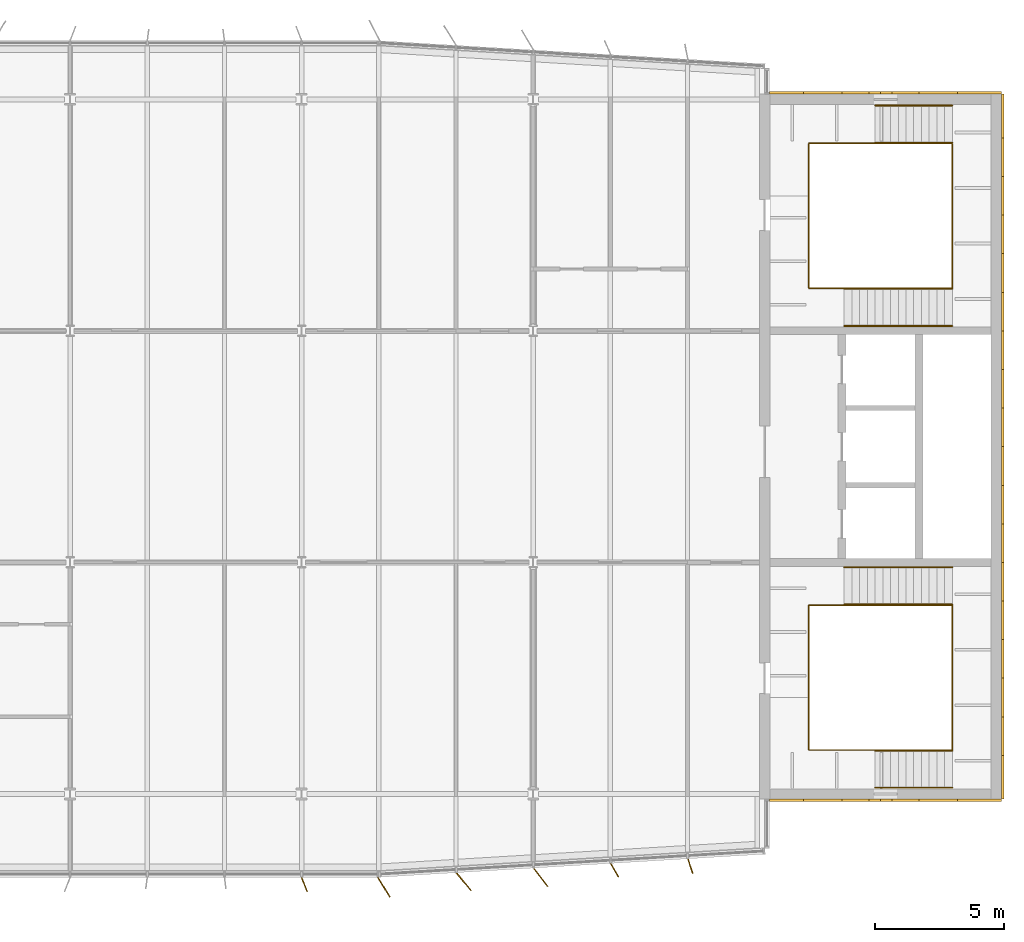
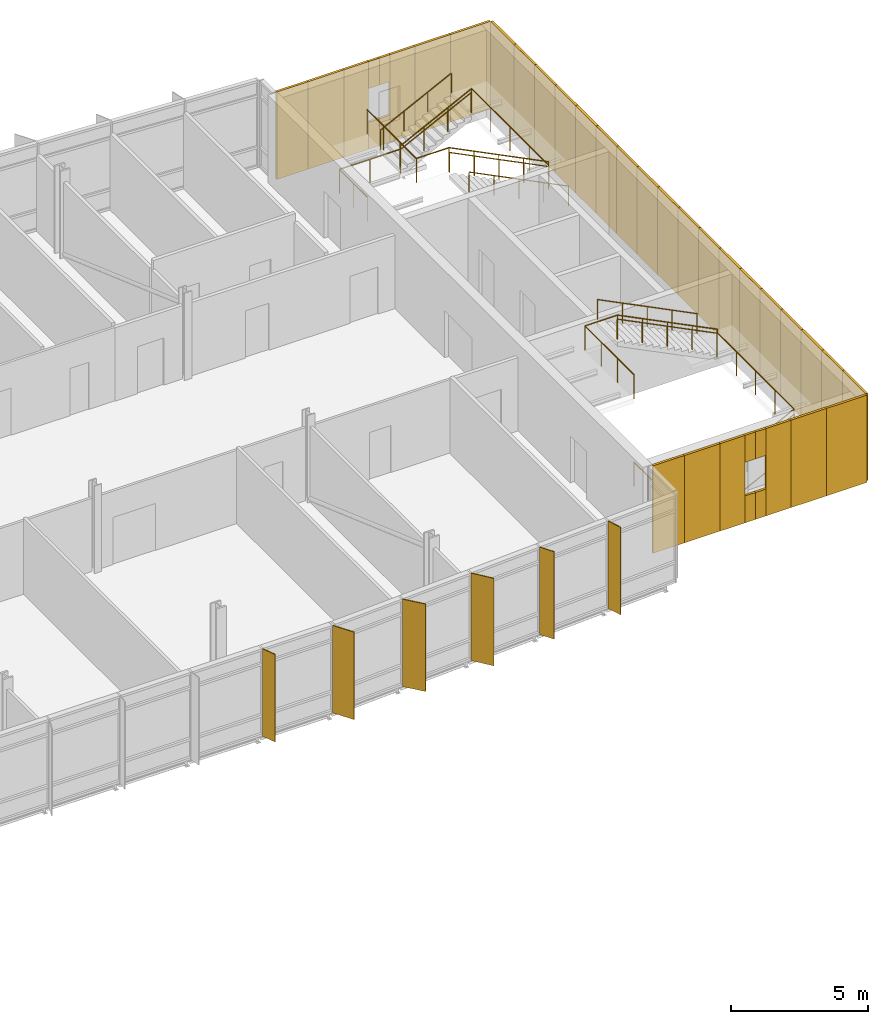
# One storey, part 17 of 18: 38 coverings, 10 railings, 6 shading devices.
"""IFC4 building model written with IfcOpenShell, lengths in metres."""

import ifcopenshell
import ifcopenshell.guid

model = None  # the IFC model being written
_history = None  # IfcOwnerHistory: only IFC2X3 demands one
_inside = {}  # id of a spatial element -> (the spatial element, [elements in it])
_under = {}  # id of a project, library or spatial element -> (it, [spatial elements below it])
_declared = {}  # id of a project -> (the project, [libraries it declares])
_typed = {}  # id of a type object -> (the type object, [elements of that type])
_made_of = {}  # id of a material, layer set ... -> (it, [elements and type objects made of it])


def new_model(schema):
    """Start an empty IFC model of exactly this schema.

    Asked for "IFC4X3", IfcOpenShell would pick the latest addendum, in which some entities
    have other attributes; the version numbers below select the first issue.
    IFC2X3 requires an IfcOwnerHistory on every rooted entity: one is made here for all.
    """
    global model, _history
    if schema == "IFC4X3":
        model = ifcopenshell.file(schema_version=(4, 3, 0, 0))
    else:
        model = ifcopenshell.file(schema=schema)
    _inside.clear()
    _under.clear()
    _declared.clear()
    _typed.clear()
    _made_of.clear()
    _history = None
    if model.schema == "IFC2X3":
        org = make("IfcOrganization", Name="unknown")
        user = make(
            "IfcPersonAndOrganization",
            ThePerson=make("IfcPerson", FamilyName="unknown"),
            TheOrganization=org,
        )
        app = make(
            "IfcApplication",
            ApplicationDeveloper=org,
            Version="unknown",
            ApplicationFullName="unknown",
            ApplicationIdentifier="unknown",
        )
        _history = make(
            "IfcOwnerHistory",
            OwningUser=user,
            OwningApplication=app,
            ChangeAction="ADDED",
            CreationDate=0,
        )
    return model


def make(cls, **values):
    """One entity of the class cls with the attributes given. An attribute that is None is left unset."""
    return model.create_entity(
        cls, **{name: value for name, value in values.items() if value is not None}
    )


def rooted(cls, **values):
    """An entity with a GlobalId (a new one), such as an element, a storey or a relation."""
    return make(cls, GlobalId=ifcopenshell.guid.new(), OwnerHistory=_history, **values)


def si_unit(unit_type, name, prefix=None):
    """IfcSIUnit, for example si_unit("LENGTHUNIT", "METRE", prefix="MILLI")."""
    return make("IfcSIUnit", UnitType=unit_type, Prefix=prefix, Name=name)


def assignment(units):
    """IfcUnitAssignment: the units of a project."""
    return None if units is None else make("IfcUnitAssignment", Units=units)


def point(xyz):
    """IfcCartesianPoint."""
    return None if xyz is None else make("IfcCartesianPoint", Coordinates=xyz)


def direction(xyz):
    """IfcDirection."""
    return None if xyz is None else make("IfcDirection", DirectionRatios=xyz)


def frame(location, z_axis=None, x_axis=None):
    """IfcAxis2Placement3D, a coordinate frame: its origin and axes. An axis left out is left unset."""
    return make(
        "IfcAxis2Placement3D",
        Location=point(location),
        Axis=direction(z_axis),
        RefDirection=direction(x_axis),
    )


def frame_2d(location, x_axis=None):
    """IfcAxis2Placement2D, a coordinate frame in the plane: its origin and x axis."""
    return make(
        "IfcAxis2Placement2D", Location=point(location), RefDirection=direction(x_axis)
    )


def origin():
    """The frame at (0, 0, 0) with its axes left unset."""
    return frame((0.0, 0.0, 0.0))


def origin_2d():
    """The frame at (0, 0) in the plane with its x axis left unset."""
    return frame_2d((0.0, 0.0))


def place(relative_to, where):
    """IfcLocalPlacement: puts the frame where relative to a parent placement (None: the world)."""
    return make(
        "IfcLocalPlacement", PlacementRelTo=relative_to, RelativePlacement=where
    )


def context(
    kind, dimensions, precision=None, world=None, true_north=None, identifier=None
):
    """IfcGeometricRepresentationContext, for example the 3D "Model" context."""
    return make(
        "IfcGeometricRepresentationContext",
        ContextIdentifier=identifier,
        ContextType=kind,
        CoordinateSpaceDimension=dimensions,
        Precision=precision,
        WorldCoordinateSystem=world,
        TrueNorth=true_north,
    )


def subcontext(parent, identifier, kind, view, scale=None):
    """IfcGeometricRepresentationSubContext, for example "Body" below "Model"."""
    return make(
        "IfcGeometricRepresentationSubContext",
        ContextIdentifier=identifier,
        ContextType=kind,
        ParentContext=parent,
        TargetScale=scale,
        TargetView=view,
    )


def project(units=None, contexts=None):
    """IfcProject with its units and contexts."""
    return rooted(
        "IfcProject",
        Name="project",
        RepresentationContexts=contexts,
        UnitsInContext=assignment(units),
    )


def spatial(cls, under=None, at=None, **own):
    """A site, building, storey or space (cls), placed at a placement, below another one or the project."""
    s = rooted(cls, ObjectPlacement=at, **own)
    if under is not None:
        _under.setdefault(under.id(), (under, []))[1].append(s)
    return s


def profile(cls, at=None, kind="AREA", **sizes):
    """A parametric profile (cls). Its sizes go by their IFC names, for example OverallWidth=200.0."""
    return make(cls, ProfileType=kind, Position=at, **sizes)


def rectangle(**sizes):
    """IfcRectangleProfileDef."""
    return profile("IfcRectangleProfileDef", **sizes)


def circle(**sizes):
    """IfcCircleProfileDef."""
    return profile("IfcCircleProfileDef", **sizes)


def extrude(swept, where, along, depth):
    """IfcExtrudedAreaSolid: the profile swept, set in the frame where, extruded along a direction by depth."""
    return make(
        "IfcExtrudedAreaSolid",
        SweptArea=swept,
        Position=where,
        ExtrudedDirection=direction(along),
        Depth=depth,
    )


def shape(context_of_items, identifier, shape_type, items):
    """IfcShapeRepresentation: the items that make up one representation, for example the "Body"."""
    return make(
        "IfcShapeRepresentation",
        ContextOfItems=context_of_items,
        RepresentationIdentifier=identifier,
        RepresentationType=shape_type,
        Items=items,
    )


def material(Name=None, Category=None):
    """IfcMaterial."""
    return make("IfcMaterial", Name=Name, Category=Category)


def layer(
    of_material, thickness, ventilated=None, Name=None, Category=None, Priority=None
):
    """IfcMaterialLayer: one layer of a wall or slab, of a material (None: an air gap)."""
    return make(
        "IfcMaterialLayer",
        Material=of_material,
        LayerThickness=thickness,
        IsVentilated=ventilated,
        Name=Name,
        Category=Category,
        Priority=Priority,
    )


def layer_set(layers, Name=None):
    """IfcMaterialLayerSet."""
    return make("IfcMaterialLayerSet", MaterialLayers=layers, LayerSetName=Name)


def made_of(thing, what):
    """Note that an element or type object is made of a material, layer set ...; save() writes the relation."""
    if what is not None:
        _made_of.setdefault(what.id(), (what, []))[1].append(thing)
    return thing


def type_object(cls, material=None, **own):
    """A type object (cls), such as IfcWallType, which elements share."""
    return made_of(rooted(cls, **own), material)


def element(
    cls,
    number,
    at=None,
    inside=None,
    cuts=None,
    type_object=None,
    material=None,
    context=None,
    identifier="Body",
    shape_type=None,
    held_by="IfcProductDefinitionShape",
    body=None,
    shapes=None,
    **own,
):
    """One element of the class cls, such as IfcWall. Its Tag is "e" and its number.

    at: its placement. inside: the storey or other place that contains it. cuts: it is an
    opening in that element (IfcRelVoidsElement). A single representation is given by context,
    identifier, shape_type and body (its items); several are given by shapes. held_by: the class
    of the entity that holds the representations. save() writes the other relations.
    """
    e = rooted(cls, Tag="e%d" % number, ObjectPlacement=at, **own)
    if body is not None:
        shapes = [shape(context, identifier, shape_type, body)]
    if shapes is not None:
        e.Representation = make(held_by, Representations=shapes)
    if inside is not None:
        _inside.setdefault(inside.id(), (inside, []))[1].append(e)
    if cuts is not None:
        rooted(
            "IfcRelVoidsElement", RelatingBuildingElement=cuts, RelatedOpeningElement=e
        )
    if type_object is not None:
        _typed.setdefault(type_object.id(), (type_object, []))[1].append(e)
    return made_of(e, material)


def aggregate(whole, parts):
    """IfcRelAggregates: a whole, such as a stair, and the parts it consists of."""
    return rooted("IfcRelAggregates", RelatingObject=whole, RelatedObjects=parts)


def save(model, path):
    """Write the relations noted so far, then the file.

    IfcRelAggregates (storeys below a building ...), IfcRelContainedInSpatialStructure (elements
    in a storey), IfcRelDefinesByType, IfcRelAssociatesMaterial and IfcRelDeclares: one each for
    every whole, place, type object, material and project.
    """
    for whole, parts in _under.values():
        aggregate(whole, parts)
    for where, things in _inside.values():
        rooted(
            "IfcRelContainedInSpatialStructure",
            RelatedElements=things,
            RelatingStructure=where,
        )
    for kind, things in _typed.values():
        rooted("IfcRelDefinesByType", RelatedObjects=things, RelatingType=kind)
    for what, things in _made_of.values():
        rooted("IfcRelAssociatesMaterial", RelatedObjects=things, RelatingMaterial=what)
    for by, libraries in _declared.values():
        rooted("IfcRelDeclares", RelatingContext=by, RelatedDefinitions=libraries)
    model.write(path)


model = new_model("IFC4")

# Units and contexts
model_context = context("Model", 3, precision=1e-05, world=origin(), true_north=direction((0.0, 1.0)))
body_context = subcontext(model_context, "Body", "Model", "MODEL_VIEW")
ifc_project = project(units=[si_unit("LENGTHUNIT", "METRE"), si_unit("AREAUNIT", "SQUARE_METRE"), si_unit("VOLUMEUNIT", "CUBIC_METRE"), si_unit("PLANEANGLEUNIT", "RADIAN"), si_unit("MASSUNIT", "GRAM", prefix="KILO")], contexts=[model_context])

# Site, building, storey
site_placement = place(None, origin())
site = spatial("IfcSite", under=ifc_project, at=site_placement, CompositionType="ELEMENT")
building_placement = place(site_placement, origin())
building = spatial("IfcBuilding", under=site, at=building_placement, Name="Azimuth Sports and Learning Centre", CompositionType="ELEMENT")
storey_placement = place(building_placement, frame((0.0, 0.0, 55.800048828125)))
storey = spatial("IfcBuildingStorey", under=building, at=storey_placement, Name="L12", CompositionType="ELEMENT", Elevation=55.800048828125)

# Coverings
ifc_material_1 = material(Name="Cladding panel")
ifc_layer_1 = layer(ifc_material_1, 0.10009765625)
ifc_layer_set_1 = layer_set([ifc_layer_1], Name="Cladding panel")
covering_type = type_object("IfcCoveringType", Name="Cladding panel 100", PredefinedType="CLADDING", material=ifc_layer_set_1)
covering_1_placement = place(storey_placement, frame((108.840087890625, 89.75, 0.0), z_axis=(0.0, 0.0, 1.0), x_axis=(1.0, 0.0, 0.0)))
element("IfcCovering", 1, at=covering_1_placement, inside=storey, type_object=covering_type, Name="Cladding panel S-CORE E L12 1", PredefinedType="CLADDING", context=body_context, shape_type="SweptSolid", body=[
    extrude(rectangle(XDim=1.320068359375, YDim=0.10009765625, at=origin_2d()), origin(), (0.0, 0.0, 1.0), 3.89990234375),
])
covering_2_placement = place(storey_placement, frame((110.25, 89.75, 0.0), z_axis=(0.0, 0.0, 1.0), x_axis=(1.0, 0.0, 0.0)))
element("IfcCovering", 2, at=covering_2_placement, inside=storey, type_object=covering_type, Name="Cladding panel S-CORE E L12 2", PredefinedType="CLADDING", context=body_context, shape_type="SweptSolid", body=[
    extrude(rectangle(XDim=1.5, YDim=0.10009765625, at=origin_2d()), origin(), (0.0, 0.0, 1.0), 3.89990234375),
])
covering_3_placement = place(storey_placement, frame((111.52490234375, 89.75, 0.0), z_axis=(0.0, 0.0, 1.0), x_axis=(1.0, 0.0, 0.0)))
element("IfcCovering", 3, at=covering_3_placement, inside=storey, type_object=covering_type, Name="Cladding panel S-CORE E L12 3", PredefinedType="CLADDING", context=body_context, shape_type="SweptSolid", body=[
    extrude(rectangle(XDim=1.050048828125, YDim=0.10009765625, at=origin_2d()), origin(), (0.0, 0.0, 1.0), 3.89990234375),
])
for number, where, z_axis, x_axis, name in (
    (4, (112.27490234375, 89.75, 0.0), (0.0, 0.0, 1.0), (1.0, 0.0, 0.0), "Cladding panel S-CORE E L12 4"),
    (5, (112.27490234375, 89.75, 2.7001953125), (0.0, 0.0, 1.0), (1.0, 0.0, 0.0), "Cladding panel S-CORE E L12 5"),
):
    element("IfcCovering", number, at=place(storey_placement, frame(where, z_axis=z_axis, x_axis=x_axis)), inside=storey, type_object=covering_type, Name=name, PredefinedType="CLADDING", context=body_context, shape_type="SweptSolid", body=[
        extrude(rectangle(XDim=0.449951171875, YDim=0.10009765625, at=origin_2d()), origin(), (0.0, 0.0, 1.0), 1.199951171875),
    ])
covering_4_placement = place(storey_placement, frame((113.47509765625, 89.75, 0.0), z_axis=(0.0, 0.0, 1.0), x_axis=(1.0, 0.0, 0.0)))
element("IfcCovering", 6, at=covering_4_placement, inside=storey, type_object=covering_type, Name="Cladding panel S-CORE E L12 6", PredefinedType="CLADDING", context=body_context, shape_type="SweptSolid", body=[
    extrude(rectangle(XDim=1.050048828125, YDim=0.10009765625, at=origin_2d()), origin(), (0.0, 0.0, 1.0), 3.89990234375),
])
for number, where, z_axis, x_axis, name in (
    (7, (112.72509765625, 89.75, 0.0), (0.0, 0.0, 1.0), (1.0, 0.0, 0.0), "Cladding panel S-CORE E L12 7"),
    (8, (112.72509765625, 89.75, 2.7001953125), (0.0, 0.0, 1.0), (1.0, 0.0, 0.0), "Cladding panel S-CORE E L12 8"),
):
    element("IfcCovering", number, at=place(storey_placement, frame(where, z_axis=z_axis, x_axis=x_axis)), inside=storey, type_object=covering_type, Name=name, PredefinedType="CLADDING", context=body_context, shape_type="SweptSolid", body=[
        extrude(rectangle(XDim=0.449951171875, YDim=0.10009765625, at=origin_2d()), origin(), (0.0, 0.0, 1.0), 1.199951171875),
    ])
covering_5_placement = place(storey_placement, frame((114.75, 89.75, 0.0), z_axis=(0.0, 0.0, 1.0), x_axis=(1.0, 0.0, 0.0)))
element("IfcCovering", 9, at=covering_5_placement, inside=storey, type_object=covering_type, Name="Cladding panel S-CORE E L12 9", PredefinedType="CLADDING", context=body_context, shape_type="SweptSolid", body=[
    extrude(rectangle(XDim=1.5, YDim=0.10009765625, at=origin_2d()), origin(), (0.0, 0.0, 1.0), 3.89990234375),
])
for number, where, z_axis, x_axis, name in (
    (10, (116.35009765625, 89.75, 0.0), (0.0, 0.0, 1.0), (1.0, 0.0, 0.0), "Cladding panel S-CORE E L12 10"),
    (11, (117.25, 90.64990234375, 0.0), (0.0, 0.0, 1.0), (0.0, 1.0, 0.0), "Cladding panel E-CORE E L12 1"),
):
    element("IfcCovering", number, at=place(storey_placement, frame(where, z_axis=z_axis, x_axis=x_axis)), inside=storey, type_object=covering_type, Name=name, PredefinedType="CLADDING", context=body_context, shape_type="SweptSolid", body=[
        extrude(rectangle(XDim=1.699951171875, YDim=0.10009765625, at=origin_2d()), origin(), (0.0, 0.0, 1.0), 3.89990234375),
    ])
for number, where, z_axis, x_axis, name in (
    (12, (117.25, 92.25, 0.0), (0.0, 0.0, 1.0), (0.0, 1.0, 0.0), "Cladding panel E-CORE E L12 2"),
    (13, (117.25, 93.75, 0.0), (0.0, 0.0, 1.0), (0.0, 1.0, 0.0), "Cladding panel E-CORE E L12 3"),
    (14, (117.25, 95.25, 0.0), (0.0, 0.0, 1.0), (0.0, 1.0, 0.0), "Cladding panel E-CORE E L12 4"),
    (15, (117.25, 96.75, 0.0), (0.0, 0.0, 1.0), (0.0, 1.0, 0.0), "Cladding panel E-CORE E L12 5"),
    (16, (117.25, 98.25, 0.0), (0.0, 0.0, 1.0), (0.0, 1.0, 0.0), "Cladding panel E-CORE E L12 6"),
    (17, (117.25, 99.75, 0.0), (0.0, 0.0, 1.0), (0.0, 1.0, 0.0), "Cladding panel E-CORE E L12 7"),
    (18, (117.25, 101.25, 0.0), (0.0, 0.0, 1.0), (0.0, 1.0, 0.0), "Cladding panel E-CORE E L12 8"),
    (19, (117.25, 102.75, 0.0), (0.0, 0.0, 1.0), (0.0, 1.0, 0.0), "Cladding panel E-CORE E L12 9"),
    (20, (117.25, 104.25, 0.0), (0.0, 0.0, 1.0), (0.0, 1.0, 0.0), "Cladding panel E-CORE E L12 10"),
    (21, (117.25, 105.75, 0.0), (0.0, 0.0, 1.0), (0.0, 1.0, 0.0), "Cladding panel E-CORE E L12 11"),
    (22, (117.25, 107.25, 0.0), (0.0, 0.0, 1.0), (0.0, 1.0, 0.0), "Cladding panel E-CORE E L12 12"),
    (23, (117.25, 108.75, 0.0), (0.0, 0.0, 1.0), (0.0, 1.0, 0.0), "Cladding panel E-CORE E L12 13"),
    (24, (117.25, 110.25, 0.0), (0.0, 0.0, 1.0), (0.0, 1.0, 0.0), "Cladding panel E-CORE E L12 14"),
    (25, (117.25, 111.75, 0.0), (0.0, 0.0, 1.0), (0.0, 1.0, 0.0), "Cladding panel E-CORE E L12 15"),
    (26, (117.25, 113.25, 0.0), (0.0, 0.0, 1.0), (0.0, 1.0, 0.0), "Cladding panel E-CORE E L12 16"),
    (27, (117.25, 114.75, 0.0), (0.0, 0.0, 1.0), (0.0, 1.0, 0.0), "Cladding panel E-CORE E L12 17"),
):
    element("IfcCovering", number, at=place(storey_placement, frame(where, z_axis=z_axis, x_axis=x_axis)), inside=storey, type_object=covering_type, Name=name, PredefinedType="CLADDING", context=body_context, shape_type="SweptSolid", body=[
        extrude(rectangle(XDim=1.5, YDim=0.10009765625, at=origin_2d()), origin(), (0.0, 0.0, 1.0), 3.89990234375),
    ])
for number, where, z_axis, x_axis, name in (
    (28, (117.25, 116.35009765625, 0.0), (0.0, 0.0, 1.0), (0.0, 1.0, 0.0), "Cladding panel E-CORE E L12 18"),
    (29, (116.35009765625, 117.25, 0.0), (0.0, 0.0, 1.0), (-1.0, 0.0, 0.0), "Cladding panel N-CORE E L12 1"),
):
    element("IfcCovering", number, at=place(storey_placement, frame(where, z_axis=z_axis, x_axis=x_axis)), inside=storey, type_object=covering_type, Name=name, PredefinedType="CLADDING", context=body_context, shape_type="SweptSolid", body=[
        extrude(rectangle(XDim=1.699951171875, YDim=0.10009765625, at=origin_2d()), origin(), (0.0, 0.0, 1.0), 3.89990234375),
    ])
covering_6_placement = place(storey_placement, frame((114.75, 117.25, 0.0), z_axis=(0.0, 0.0, 1.0), x_axis=(-1.0, 0.0, 0.0)))
element("IfcCovering", 30, at=covering_6_placement, inside=storey, type_object=covering_type, Name="Cladding panel N-CORE E L12 2", PredefinedType="CLADDING", context=body_context, shape_type="SweptSolid", body=[
    extrude(rectangle(XDim=1.5, YDim=0.10009765625, at=origin_2d()), origin(), (0.0, 0.0, 1.0), 3.89990234375),
])
covering_7_placement = place(storey_placement, frame((113.47509765625, 117.25, 0.0), z_axis=(0.0, 0.0, 1.0), x_axis=(-1.0, 0.0, 0.0)))
element("IfcCovering", 31, at=covering_7_placement, inside=storey, type_object=covering_type, Name="Cladding panel N-CORE E L12 3", PredefinedType="CLADDING", context=body_context, shape_type="SweptSolid", body=[
    extrude(rectangle(XDim=1.050048828125, YDim=0.10009765625, at=origin_2d()), origin(), (0.0, 0.0, 1.0), 3.89990234375),
])
for number, where, z_axis, x_axis, name in (
    (32, (112.72509765625, 117.25, 0.0), (0.0, 0.0, 1.0), (-1.0, 0.0, 0.0), "Cladding panel N-CORE E L12 4"),
    (33, (112.72509765625, 117.25, 2.7001953125), (0.0, 0.0, 1.0), (-1.0, 0.0, 0.0), "Cladding panel N-CORE E L12 5"),
):
    element("IfcCovering", number, at=place(storey_placement, frame(where, z_axis=z_axis, x_axis=x_axis)), inside=storey, type_object=covering_type, Name=name, PredefinedType="CLADDING", context=body_context, shape_type="SweptSolid", body=[
        extrude(rectangle(XDim=0.449951171875, YDim=0.10009765625, at=origin_2d()), origin(), (0.0, 0.0, 1.0), 1.199951171875),
    ])
covering_8_placement = place(storey_placement, frame((111.52490234375, 117.25, 0.0), z_axis=(0.0, 0.0, 1.0), x_axis=(-1.0, 0.0, 0.0)))
element("IfcCovering", 34, at=covering_8_placement, inside=storey, type_object=covering_type, Name="Cladding panel N-CORE E L12 6", PredefinedType="CLADDING", context=body_context, shape_type="SweptSolid", body=[
    extrude(rectangle(XDim=1.050048828125, YDim=0.10009765625, at=origin_2d()), origin(), (0.0, 0.0, 1.0), 3.89990234375),
])
for number, where, z_axis, x_axis, name in (
    (35, (112.27490234375, 117.25, 0.0), (0.0, 0.0, 1.0), (-1.0, 0.0, 0.0), "Cladding panel N-CORE E L12 7"),
    (36, (112.27490234375, 117.25, 2.7001953125), (0.0, 0.0, 1.0), (-1.0, 0.0, 0.0), "Cladding panel N-CORE E L12 8"),
):
    element("IfcCovering", number, at=place(storey_placement, frame(where, z_axis=z_axis, x_axis=x_axis)), inside=storey, type_object=covering_type, Name=name, PredefinedType="CLADDING", context=body_context, shape_type="SweptSolid", body=[
        extrude(rectangle(XDim=0.449951171875, YDim=0.10009765625, at=origin_2d()), origin(), (0.0, 0.0, 1.0), 1.199951171875),
    ])
covering_9_placement = place(storey_placement, frame((110.25, 117.25, 0.0), z_axis=(0.0, 0.0, 1.0), x_axis=(-1.0, 0.0, 0.0)))
element("IfcCovering", 37, at=covering_9_placement, inside=storey, type_object=covering_type, Name="Cladding panel N-CORE E L12 9", PredefinedType="CLADDING", context=body_context, shape_type="SweptSolid", body=[
    extrude(rectangle(XDim=1.5, YDim=0.10009765625, at=origin_2d()), origin(), (0.0, 0.0, 1.0), 3.89990234375),
])
covering_10_placement = place(storey_placement, frame((108.840087890625, 117.25, 0.0), z_axis=(0.0, 0.0, 1.0), x_axis=(-1.0, 0.0, 0.0)))
element("IfcCovering", 38, at=covering_10_placement, inside=storey, type_object=covering_type, Name="Cladding panel N-CORE E L12 10", PredefinedType="CLADDING", context=body_context, shape_type="SweptSolid", body=[
    extrude(rectangle(XDim=1.320068359375, YDim=0.10009765625, at=origin_2d()), origin(), (0.0, 0.0, 1.0), 3.89990234375),
])

# Shading devices
ifc_material_2 = material(Name="Aluminium", Category="aluminium")
ifc_layer_2 = layer(ifc_material_2, 0.0400390625)
ifc_layer_set_2 = layer_set([ifc_layer_2], Name="Aluminium")
shading_device_type_1 = type_object("IfcShadingDeviceType", Name="Shading fin 600", PredefinedType="JALOUSIE", material=ifc_layer_set_2)
for number, where, z_axis, x_axis, name in (
    (39, (90.1083984375, 86.480224609375, 0.0), (0.0, 0.0, 1.0), (0.36097797694, -0.932574340288, 0.0), "Shading fin F12-009"),
    (40, (102.165283203125, 87.041015625, 0.0), (0.0, 0.0, 1.0), (0.50282122482, -0.864390430228, 0.0), "Shading fin F12-013"),
    (41, (105.107421875, 87.1953125, 0.0), (0.0, 0.0, 1.0), (0.310280447308, -0.950645067319, 0.0), "Shading fin F12-014"),
):
    element("IfcShadingDevice", number, at=place(storey_placement, frame(where, z_axis=z_axis, x_axis=x_axis)), inside=storey, type_object=shading_device_type_1, Name=name, PredefinedType="JALOUSIE", context=body_context, shape_type="SweptSolid", body=[
        extrude(rectangle(XDim=0.60009765625, YDim=0.0400390625, at=origin_2d()), origin(), (0.0, 0.0, 1.0), 3.89990234375),
    ])
ifc_material_3 = material(Name="Aluminium", Category="aluminium")
ifc_layer_3 = layer(ifc_material_3, 0.0400390625)
ifc_layer_set_3 = layer_set([ifc_layer_3], Name="Aluminium")
shading_device_type_2 = type_object("IfcShadingDeviceType", Name="Shading fin 900", PredefinedType="JALOUSIE", material=ifc_layer_set_3)
for number, where, z_axis, x_axis, name in (
    (42, (93.197998046875, 86.375, 0.0), (0.0, 0.0, 1.0), (0.517682326227, -0.855572912797, 0.0), "Shading fin F12-010"),
    (43, (96.299072265625, 86.591796875, 0.0), (0.0, 0.0, 1.0), (0.632521516641, -0.77454278835, 0.0), "Shading fin F12-011"),
    (44, (99.289306640625, 86.76416015625, 0.0), (0.0, 0.0, 1.0), (0.611135436755, -0.791526043755, 0.0), "Shading fin F12-012"),
):
    element("IfcShadingDevice", number, at=place(storey_placement, frame(where, z_axis=z_axis, x_axis=x_axis)), inside=storey, type_object=shading_device_type_2, Name=name, PredefinedType="JALOUSIE", context=body_context, shape_type="SweptSolid", body=[
        extrude(rectangle(XDim=0.89990234375, YDim=0.0400390625, at=origin_2d()), origin(), (0.0, 0.0, 1.0), 3.89990234375),
    ])

# Railings
ifc_material_4 = material(Name="Stainless steel", Category="steel")
railing_type_1 = type_object("IfcRailingType", Name="Stair guard 1100", PredefinedType="GUARDRAIL", material=ifc_material_4)
railing_1_placement = place(storey_placement, frame((109.7099609375, 93.75, 0.0)))
element("IfcRailing", 45, at=railing_1_placement, inside=storey, type_object=railing_type_1, Name="Guard E1 L12 well", PredefinedType="GUARDRAIL", context=body_context, shape_type="SweptSolid", body=[
    extrude(circle(Radius=0.02392578125, at=origin_2d()), frame((0.0, 0.0, 1.076171875), z_axis=(0.0, -1.0, 0.0), x_axis=(1.0, 0.0, 0.0)), (0.0, 0.0, 1.0), 2.0400390625),
    extrude(circle(Radius=0.02392578125, at=origin_2d()), frame((0.0, -2.0400390625, 1.076171875), z_axis=(1.0, 0.0, 0.0), x_axis=(0.0, 1.0, 0.0)), (0.0, 0.0, 1.0), 2.580078125),
    extrude(circle(Radius=0.02392578125, at=origin_2d()), frame((2.580078125, -2.0400390625, 1.076171875), z_axis=(0.0, 0.0, 1.0), x_axis=(1.0, 0.0, 0.0)), (0.0, 0.0, 1.0), 0.14990234375),
    extrude(circle(Radius=0.02392578125, at=origin_2d()), frame((2.580078125, -2.0400390625, 1.22607421875), z_axis=(0.894427191, 0.0, 0.4472135955), x_axis=(0.0, 1.0, 0.0)), (0.0, 0.0, 1.0), 3.35400390625),
    extrude(circle(Radius=0.02392578125, at=origin_2d()), frame((5.580078125, -2.0400390625, 2.72607421875), z_axis=(0.0, 1.0, 0.0), x_axis=(-1.0, 0.0, 0.0)), (0.0, 0.0, 1.0), 5.630126953125),
    extrude(circle(Radius=0.02392578125, at=origin_2d()), frame((5.580078125, 3.590087890625, 2.72607421875), z_axis=(0.0, 0.0, 1.0), x_axis=(1.0, 0.0, 0.0)), (0.0, 0.0, 1.0), 0.150146484375),
    extrude(circle(Radius=0.02392578125, at=origin_2d()), frame((5.580078125, 3.590087890625, 2.8759765625), z_axis=(-0.894437589381, 0.0, 0.447192798132), x_axis=(0.0, -1.0, 0.0)), (0.0, 0.0, 1.0), 4.695556640625),
    extrude(circle(Radius=0.02392578125, at=origin_2d()), frame((1.380126953125, 3.590087890625, 4.97607421875), z_axis=(-1.0, 0.0, 0.0), x_axis=(0.0, -1.0, 0.0)), (0.0, 0.0, 1.0), 1.380126953125),
    extrude(circle(Radius=0.02392578125, at=origin_2d()), frame((0.0, 3.590087890625, 4.97607421875), z_axis=(0.0, -1.0, 0.0), x_axis=(1.0, 0.0, 0.0)), (0.0, 0.0, 1.0), 3.590087890625),
    extrude(circle(Radius=0.01611328125, at=origin_2d()), origin(), (0.0, 0.0, 1.0), 1.052001953125),
    extrude(circle(Radius=0.01611328125, at=origin_2d()), frame((0.0, -1.02001953125, 0.0)), (0.0, 0.0, 1.0), 1.052001953125),
    extrude(circle(Radius=0.01611328125, at=origin_2d()), frame((0.0, -2.0400390625, 0.0)), (0.0, 0.0, 1.0), 1.052001953125),
    extrude(circle(Radius=0.01611328125, at=origin_2d()), frame((1.2900390625, -2.0400390625, 0.0)), (0.0, 0.0, 1.0), 1.052001953125),
    extrude(circle(Radius=0.01611328125, at=origin_2d()), frame((2.580078125, -2.0400390625, 0.0)), (0.0, 0.0, 1.0), 1.052001953125),
    extrude(circle(Radius=0.01611328125, at=origin_2d()), frame((2.580078125, -2.0400390625, 0.14990234375)), (0.0, 0.0, 1.0), 1.052001953125),
    extrude(circle(Radius=0.01611328125, at=origin_2d()), frame((3.580078125, -2.0400390625, 0.64990234375)), (0.0, 0.0, 1.0), 1.052001953125),
    extrude(circle(Radius=0.01611328125, at=origin_2d()), frame((4.580078125, -2.0400390625, 1.14990234375)), (0.0, 0.0, 1.0), 1.052001953125),
    extrude(circle(Radius=0.01611328125, at=origin_2d()), frame((5.580078125, -2.0400390625, 1.64990234375)), (0.0, 0.0, 1.0), 1.052001953125),
    extrude(circle(Radius=0.01611328125, at=origin_2d()), frame((5.580078125, -0.632568359375, 1.64990234375)), (0.0, 0.0, 1.0), 1.052001953125),
    extrude(circle(Radius=0.01611328125, at=origin_2d()), frame((5.580078125, 0.77490234375, 1.64990234375)), (0.0, 0.0, 1.0), 1.052001953125),
    extrude(circle(Radius=0.01611328125, at=origin_2d()), frame((5.580078125, 2.1826171875, 1.64990234375)), (0.0, 0.0, 1.0), 1.052001953125),
    extrude(circle(Radius=0.01611328125, at=origin_2d()), frame((5.580078125, 3.590087890625, 1.64990234375)), (0.0, 0.0, 1.0), 1.052001953125),
    extrude(circle(Radius=0.01611328125, at=origin_2d()), frame((5.580078125, 3.590087890625, 1.800048828125)), (0.0, 0.0, 1.0), 1.052001953125),
    extrude(circle(Radius=0.01611328125, at=origin_2d()), frame((4.530029296875, 3.590087890625, 2.324951171875)), (0.0, 0.0, 1.0), 1.052001953125),
    extrude(circle(Radius=0.01611328125, at=origin_2d()), frame((3.47998046875, 3.590087890625, 2.85009765625)), (0.0, 0.0, 1.0), 1.052001953125),
    extrude(circle(Radius=0.01611328125, at=origin_2d()), frame((2.43017578125, 3.590087890625, 3.375)), (0.0, 0.0, 1.0), 1.052001953125),
    extrude(circle(Radius=0.01611328125, at=origin_2d()), frame((1.380126953125, 3.590087890625, 3.89990234375)), (0.0, 0.0, 1.0), 1.052001953125),
    extrude(circle(Radius=0.01611328125, at=origin_2d()), frame((0.0, 3.590087890625, 3.89990234375)), (0.0, 0.0, 1.0), 1.052001953125),
    extrude(circle(Radius=0.01611328125, at=origin_2d()), frame((0.0, 2.393310546875, 3.89990234375)), (0.0, 0.0, 1.0), 1.052001953125),
    extrude(circle(Radius=0.01611328125, at=origin_2d()), frame((0.0, 1.19677734375, 3.89990234375)), (0.0, 0.0, 1.0), 1.052001953125),
    extrude(circle(Radius=0.01611328125, at=origin_2d()), frame((0.0, 0.0, 3.89990234375)), (0.0, 0.0, 1.0), 1.052001953125),
])
railing_2_placement = place(storey_placement, frame((109.7099609375, 113.25, 0.0)))
element("IfcRailing", 46, at=railing_2_placement, inside=storey, type_object=railing_type_1, Name="Guard E2 L12 well", PredefinedType="GUARDRAIL", context=body_context, shape_type="SweptSolid", body=[
    extrude(circle(Radius=0.02392578125, at=origin_2d()), frame((0.0, 0.0, 1.076171875), z_axis=(0.0, 1.0, 0.0), x_axis=(-1.0, 0.0, 0.0)), (0.0, 0.0, 1.0), 2.0400390625),
    extrude(circle(Radius=0.02392578125, at=origin_2d()), frame((0.0, 2.0400390625, 1.076171875), z_axis=(1.0, 0.0, 0.0), x_axis=(0.0, 1.0, 0.0)), (0.0, 0.0, 1.0), 2.580078125),
    extrude(circle(Radius=0.02392578125, at=origin_2d()), frame((2.580078125, 2.0400390625, 1.076171875), z_axis=(0.0, 0.0, 1.0), x_axis=(1.0, 0.0, 0.0)), (0.0, 0.0, 1.0), 0.14990234375),
    extrude(circle(Radius=0.02392578125, at=origin_2d()), frame((2.580078125, 2.0400390625, 1.22607421875), z_axis=(0.894427191, 0.0, 0.4472135955), x_axis=(0.0, 1.0, 0.0)), (0.0, 0.0, 1.0), 3.35400390625),
    extrude(circle(Radius=0.02392578125, at=origin_2d()), frame((5.580078125, 2.0400390625, 2.72607421875), z_axis=(0.0, -1.0, 0.0), x_axis=(1.0, 0.0, 0.0)), (0.0, 0.0, 1.0), 5.630126953125),
    extrude(circle(Radius=0.02392578125, at=origin_2d()), frame((5.580078125, -3.590087890625, 2.72607421875), z_axis=(0.0, 0.0, 1.0), x_axis=(1.0, 0.0, 0.0)), (0.0, 0.0, 1.0), 0.150146484375),
    extrude(circle(Radius=0.02392578125, at=origin_2d()), frame((5.580078125, -3.590087890625, 2.8759765625), z_axis=(-0.894437589381, 0.0, 0.447192798132), x_axis=(0.0, -1.0, 0.0)), (0.0, 0.0, 1.0), 4.695556640625),
    extrude(circle(Radius=0.02392578125, at=origin_2d()), frame((1.380126953125, -3.590087890625, 4.97607421875), z_axis=(-1.0, 0.0, 0.0), x_axis=(0.0, -1.0, 0.0)), (0.0, 0.0, 1.0), 1.380126953125),
    extrude(circle(Radius=0.02392578125, at=origin_2d()), frame((0.0, -3.590087890625, 4.97607421875), z_axis=(0.0, 1.0, 0.0), x_axis=(-1.0, 0.0, 0.0)), (0.0, 0.0, 1.0), 3.590087890625),
    extrude(circle(Radius=0.01611328125, at=origin_2d()), origin(), (0.0, 0.0, 1.0), 1.052001953125),
    extrude(circle(Radius=0.01611328125, at=origin_2d()), frame((0.0, 1.02001953125, 0.0)), (0.0, 0.0, 1.0), 1.052001953125),
    extrude(circle(Radius=0.01611328125, at=origin_2d()), frame((0.0, 2.0400390625, 0.0)), (0.0, 0.0, 1.0), 1.052001953125),
    extrude(circle(Radius=0.01611328125, at=origin_2d()), frame((1.2900390625, 2.0400390625, 0.0)), (0.0, 0.0, 1.0), 1.052001953125),
    extrude(circle(Radius=0.01611328125, at=origin_2d()), frame((2.580078125, 2.0400390625, 0.0)), (0.0, 0.0, 1.0), 1.052001953125),
    extrude(circle(Radius=0.01611328125, at=origin_2d()), frame((2.580078125, 2.0400390625, 0.14990234375)), (0.0, 0.0, 1.0), 1.052001953125),
    extrude(circle(Radius=0.01611328125, at=origin_2d()), frame((3.580078125, 2.0400390625, 0.64990234375)), (0.0, 0.0, 1.0), 1.052001953125),
    extrude(circle(Radius=0.01611328125, at=origin_2d()), frame((4.580078125, 2.0400390625, 1.14990234375)), (0.0, 0.0, 1.0), 1.052001953125),
    extrude(circle(Radius=0.01611328125, at=origin_2d()), frame((5.580078125, 2.0400390625, 1.64990234375)), (0.0, 0.0, 1.0), 1.052001953125),
    extrude(circle(Radius=0.01611328125, at=origin_2d()), frame((5.580078125, 0.632568359375, 1.64990234375)), (0.0, 0.0, 1.0), 1.052001953125),
    extrude(circle(Radius=0.01611328125, at=origin_2d()), frame((5.580078125, -0.77490234375, 1.64990234375)), (0.0, 0.0, 1.0), 1.052001953125),
    extrude(circle(Radius=0.01611328125, at=origin_2d()), frame((5.580078125, -2.1826171875, 1.64990234375)), (0.0, 0.0, 1.0), 1.052001953125),
    extrude(circle(Radius=0.01611328125, at=origin_2d()), frame((5.580078125, -3.590087890625, 1.64990234375)), (0.0, 0.0, 1.0), 1.052001953125),
    extrude(circle(Radius=0.01611328125, at=origin_2d()), frame((5.580078125, -3.590087890625, 1.800048828125)), (0.0, 0.0, 1.0), 1.052001953125),
    extrude(circle(Radius=0.01611328125, at=origin_2d()), frame((4.530029296875, -3.590087890625, 2.324951171875)), (0.0, 0.0, 1.0), 1.052001953125),
    extrude(circle(Radius=0.01611328125, at=origin_2d()), frame((3.47998046875, -3.590087890625, 2.85009765625)), (0.0, 0.0, 1.0), 1.052001953125),
    extrude(circle(Radius=0.01611328125, at=origin_2d()), frame((2.43017578125, -3.590087890625, 3.375)), (0.0, 0.0, 1.0), 1.052001953125),
    extrude(circle(Radius=0.01611328125, at=origin_2d()), frame((1.380126953125, -3.590087890625, 3.89990234375)), (0.0, 0.0, 1.0), 1.052001953125),
    extrude(circle(Radius=0.01611328125, at=origin_2d()), frame((0.0, -3.590087890625, 3.89990234375)), (0.0, 0.0, 1.0), 1.052001953125),
    extrude(circle(Radius=0.01611328125, at=origin_2d()), frame((0.0, -2.393310546875, 3.89990234375)), (0.0, 0.0, 1.0), 1.052001953125),
    extrude(circle(Radius=0.01611328125, at=origin_2d()), frame((0.0, -1.19677734375, 3.89990234375)), (0.0, 0.0, 1.0), 1.052001953125),
    extrude(circle(Radius=0.01611328125, at=origin_2d()), frame((0.0, 0.0, 3.89990234375)), (0.0, 0.0, 1.0), 1.052001953125),
])
ifc_material_5 = material(Name="Stainless steel", Category="steel")
railing_type_2 = type_object("IfcRailingType", Name="Stair handrail 42", PredefinedType="HANDRAIL", material=ifc_material_5)
for number, where, name in (
    (47, (112.2900390625, 91.679931640625, 0.14990234375), "Handrail E1 L12 flight 1 inner"),
    (48, (112.2900390625, 90.239990234375, 0.14990234375), "Handrail E1 L12 flight 1 outer"),
):
    element("IfcRailing", number, at=place(storey_placement, frame(where)), inside=storey, type_object=railing_type_2, Name=name, PredefinedType="HANDRAIL", context=body_context, shape_type="SweptSolid", body=[
        extrude(circle(Radius=0.02099609375, at=origin_2d()), frame((0.0, 0.0, 0.87890625), z_axis=(0.894427191, 0.0, 0.4472135955), x_axis=(0.0, 1.0, 0.0)), (0.0, 0.0, 1.0), 3.35400390625),
        extrude(circle(Radius=0.01611328125, at=origin_2d()), origin(), (0.0, 0.0, 1.0), 0.85791015625),
        extrude(circle(Radius=0.01611328125, at=origin_2d()), frame((1.0, 0.0, 0.5)), (0.0, 0.0, 1.0), 0.85791015625),
        extrude(circle(Radius=0.01611328125, at=origin_2d()), frame((2.0, 0.0, 1.0)), (0.0, 0.0, 1.0), 0.85791015625),
        extrude(circle(Radius=0.01611328125, at=origin_2d()), frame((3.0, 0.0, 1.5)), (0.0, 0.0, 1.0), 0.85791015625),
    ])
for number, where, name in (
    (49, (115.2900390625, 97.3701171875, 1.800048828125), "Handrail E1 L12 flight 2 inner"),
    (50, (115.2900390625, 98.81005859375, 1.800048828125), "Handrail E1 L12 flight 2 outer"),
):
    element("IfcRailing", number, at=place(storey_placement, frame(where)), inside=storey, type_object=railing_type_2, Name=name, PredefinedType="HANDRAIL", context=body_context, shape_type="SweptSolid", body=[
        extrude(circle(Radius=0.02099609375, at=origin_2d()), frame((0.0, 0.0, 0.87890625), z_axis=(-0.894437589381, 0.0, 0.447192798132), x_axis=(0.0, -1.0, 0.0)), (0.0, 0.0, 1.0), 4.695556640625),
        extrude(circle(Radius=0.01611328125, at=origin_2d()), origin(), (0.0, 0.0, 1.0), 0.85791015625),
        extrude(circle(Radius=0.01611328125, at=origin_2d()), frame((-1.050048828125, 0.0, 0.52490234375)), (0.0, 0.0, 1.0), 0.85791015625),
        extrude(circle(Radius=0.01611328125, at=origin_2d()), frame((-2.10009765625, 0.0, 1.0498046875)), (0.0, 0.0, 1.0), 0.85791015625),
        extrude(circle(Radius=0.01611328125, at=origin_2d()), frame((-3.14990234375, 0.0, 1.574951171875)), (0.0, 0.0, 1.0), 0.85791015625),
        extrude(circle(Radius=0.01611328125, at=origin_2d()), frame((-4.199951171875, 0.0, 2.099853515625)), (0.0, 0.0, 1.0), 0.85791015625),
    ])
for number, where, name in (
    (51, (112.2900390625, 115.320068359375, 0.14990234375), "Handrail E2 L12 flight 1 inner"),
    (52, (112.2900390625, 116.760009765625, 0.14990234375), "Handrail E2 L12 flight 1 outer"),
):
    element("IfcRailing", number, at=place(storey_placement, frame(where)), inside=storey, type_object=railing_type_2, Name=name, PredefinedType="HANDRAIL", context=body_context, shape_type="SweptSolid", body=[
        extrude(circle(Radius=0.02099609375, at=origin_2d()), frame((0.0, 0.0, 0.87890625), z_axis=(0.894427191, 0.0, 0.4472135955), x_axis=(0.0, 1.0, 0.0)), (0.0, 0.0, 1.0), 3.35400390625),
        extrude(circle(Radius=0.01611328125, at=origin_2d()), origin(), (0.0, 0.0, 1.0), 0.85791015625),
        extrude(circle(Radius=0.01611328125, at=origin_2d()), frame((1.0, 0.0, 0.5)), (0.0, 0.0, 1.0), 0.85791015625),
        extrude(circle(Radius=0.01611328125, at=origin_2d()), frame((2.0, 0.0, 1.0)), (0.0, 0.0, 1.0), 0.85791015625),
        extrude(circle(Radius=0.01611328125, at=origin_2d()), frame((3.0, 0.0, 1.5)), (0.0, 0.0, 1.0), 0.85791015625),
    ])
for number, where, name in (
    (53, (115.2900390625, 109.6298828125, 1.800048828125), "Handrail E2 L12 flight 2 inner"),
    (54, (115.2900390625, 108.18994140625, 1.800048828125), "Handrail E2 L12 flight 2 outer"),
):
    element("IfcRailing", number, at=place(storey_placement, frame(where)), inside=storey, type_object=railing_type_2, Name=name, PredefinedType="HANDRAIL", context=body_context, shape_type="SweptSolid", body=[
        extrude(circle(Radius=0.02099609375, at=origin_2d()), frame((0.0, 0.0, 0.87890625), z_axis=(-0.894437589381, 0.0, 0.447192798132), x_axis=(0.0, -1.0, 0.0)), (0.0, 0.0, 1.0), 4.695556640625),
        extrude(circle(Radius=0.01611328125, at=origin_2d()), origin(), (0.0, 0.0, 1.0), 0.85791015625),
        extrude(circle(Radius=0.01611328125, at=origin_2d()), frame((-1.050048828125, 0.0, 0.52490234375)), (0.0, 0.0, 1.0), 0.85791015625),
        extrude(circle(Radius=0.01611328125, at=origin_2d()), frame((-2.10009765625, 0.0, 1.0498046875)), (0.0, 0.0, 1.0), 0.85791015625),
        extrude(circle(Radius=0.01611328125, at=origin_2d()), frame((-3.14990234375, 0.0, 1.574951171875)), (0.0, 0.0, 1.0), 0.85791015625),
        extrude(circle(Radius=0.01611328125, at=origin_2d()), frame((-4.199951171875, 0.0, 2.099853515625)), (0.0, 0.0, 1.0), 0.85791015625),
    ])

save(model, "model.ifc")
